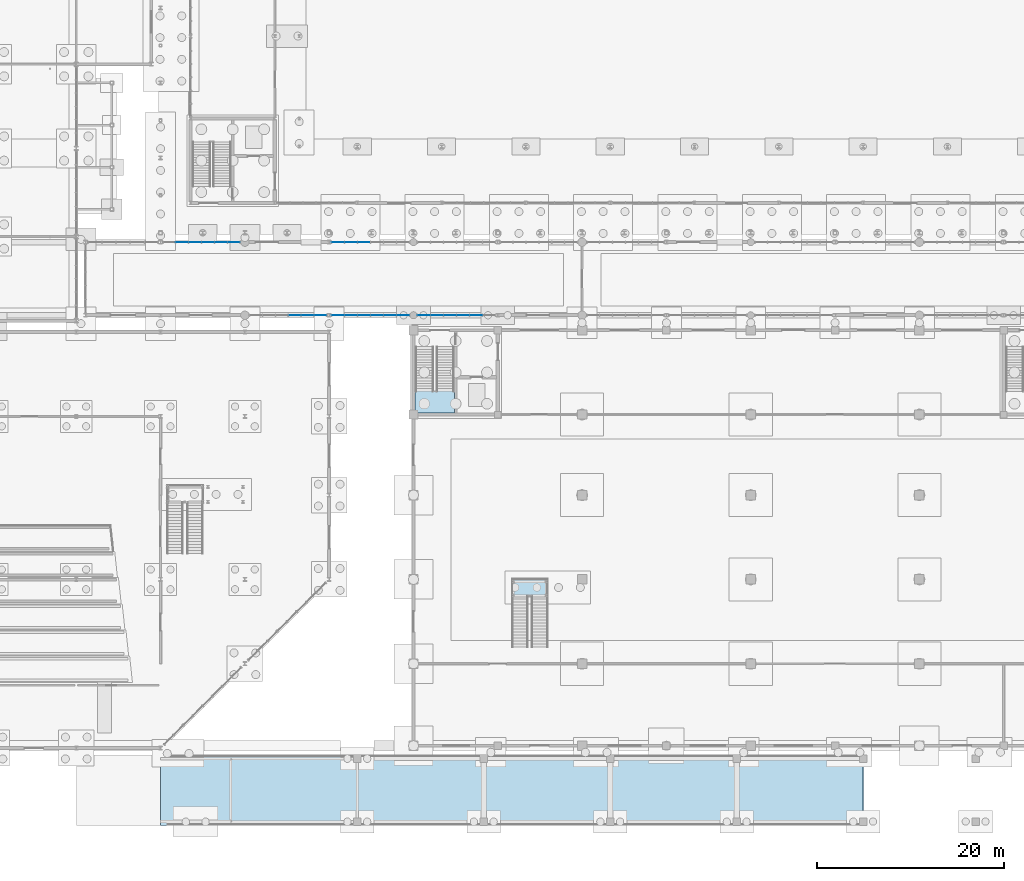
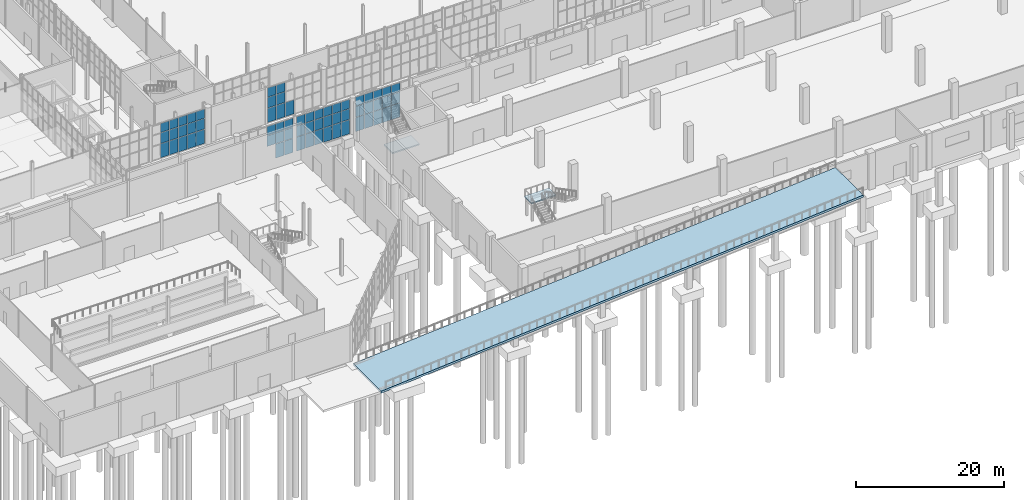
# One storey, part 75 of 131: 63 plates, 3 slabs, 7 elements without a shape of their own.
"""IFC4 building model written with IfcOpenShell, lengths in metres."""

from ifc_helpers import new_model, si_unit, direction, frame, origin, origin_2d, place, context, subcontext, project, spatial, polyline, rectangle, outline, extrude, material, layer, layer_set, type_object, element, aggregate, save


model = new_model("IFC4")

# Units and contexts
model_context = context("Model", 3, precision=1e-05, world=origin(), true_north=direction((0.0, 1.0)))
body_context = subcontext(model_context, "Body", "Model", "MODEL_VIEW")
ifc_project = project(units=[si_unit("LENGTHUNIT", "METRE"), si_unit("AREAUNIT", "SQUARE_METRE"), si_unit("VOLUMEUNIT", "CUBIC_METRE"), si_unit("PLANEANGLEUNIT", "RADIAN"), si_unit("MASSUNIT", "GRAM", prefix="KILO")], contexts=[model_context])

# Site, building, storey
site_placement = place(None, origin())
site = spatial("IfcSite", under=ifc_project, at=site_placement, CompositionType="ELEMENT")
building_placement = place(site_placement, origin())
building = spatial("IfcBuilding", under=site, at=building_placement, Name="Cazmaro Siding Exhibition Halls", CompositionType="ELEMENT")
storey_placement = place(building_placement, origin())
storey = spatial("IfcBuildingStorey", under=building, at=storey_placement, Name="L00", CompositionType="ELEMENT", Elevation=0.0)

# Curtain wall, plates
ifc_material_1 = material(Name="Anodized Bronze Aluminum and Solar-Control Low-E Glazing", Category="aluminium")
ifc_layer_1 = layer(ifc_material_1, 0.179931640625)
ifc_layer_set_1 = layer_set([ifc_layer_1], Name="Anodized Bronze Aluminum and Solar-Control Low-E Glazing")
curtain_wall_type = type_object("IfcCurtainWallType", Name="CWS-01", PredefinedType="USERDEFINED", material=ifc_layer_set_1)
curtain_wall_1_placement = place(storey_placement, origin())
curtain_wall_1 = element("IfcCurtainWall", 1, at=curtain_wall_1_placement, inside=storey, type_object=curtain_wall_type, Name="Glazed Curtain Wall CWS-01 CW-145", ObjectType="GLAZED CURTAIN WALL", PredefinedType="USERDEFINED")
ifc_material_2 = material(Name="Solar-Control Low-E Double Insulating Glass", Category="glass")
ifc_layer_2 = layer(ifc_material_2, 0.02392578125)
ifc_layer_set_2 = layer_set([ifc_layer_2], Name="Solar-Control Low-E Double Insulating Glass")
plate_type = type_object("IfcPlateType", Name="CWP-01", PredefinedType="CURTAIN_PANEL", material=ifc_layer_set_2)
plate_1_placement = place(storey_placement, frame((52.8115234375, 63.0, 0.06005859375), z_axis=(0.0, 0.0, 1.0), x_axis=(-1.0, 0.0, 0.0)))
plate_1 = element("IfcPlate", 2, at=plate_1_placement, type_object=plate_type, Name="CWS-01 panel 1.1", PredefinedType="CURTAIN_PANEL", context=body_context, shape_type="SweptSolid", body=[
    extrude(rectangle(XDim=1.291259765625, YDim=0.02392578125, at=origin_2d()), origin(), (0.0, 0.0, 1.0), 2.31005859375),
])
plate_2_placement = place(storey_placement, frame((52.8115234375, 63.0, 2.43017578125), z_axis=(0.0, 0.0, 1.0), x_axis=(-1.0, 0.0, 0.0)))
plate_2 = element("IfcPlate", 3, at=plate_2_placement, type_object=plate_type, Name="CWS-01 panel 1.2", PredefinedType="CURTAIN_PANEL", context=body_context, shape_type="SweptSolid", body=[
    extrude(rectangle(XDim=1.291259765625, YDim=0.02392578125, at=origin_2d()), origin(), (0.0, 0.0, 1.0), 1.739990234375),
])
plate_3_placement = place(storey_placement, frame((52.8115234375, 63.0, 4.22998046875), z_axis=(0.0, 0.0, 1.0), x_axis=(-1.0, 0.0, 0.0)))
plate_3 = element("IfcPlate", 4, at=plate_3_placement, type_object=plate_type, Name="CWS-01 panel 1.3", PredefinedType="CURTAIN_PANEL", context=body_context, shape_type="SweptSolid", body=[
    extrude(rectangle(XDim=1.291259765625, YDim=0.02392578125, at=origin_2d()), origin(), (0.0, 0.0, 1.0), 1.489990234375),
])
plate_4_placement = place(storey_placement, frame((51.4453125, 63.0, 0.06005859375), z_axis=(0.0, 0.0, 1.0), x_axis=(-1.0, 0.0, 0.0)))
plate_4 = element("IfcPlate", 5, at=plate_4_placement, type_object=plate_type, Name="CWS-01 panel 2.1", PredefinedType="CURTAIN_PANEL", context=body_context, shape_type="SweptSolid", body=[
    extrude(rectangle(XDim=1.321044921875, YDim=0.02392578125, at=origin_2d()), origin(), (0.0, 0.0, 1.0), 2.31005859375),
])
plate_5_placement = place(storey_placement, frame((51.4453125, 63.0, 2.43017578125), z_axis=(0.0, 0.0, 1.0), x_axis=(-1.0, 0.0, 0.0)))
plate_5 = element("IfcPlate", 6, at=plate_5_placement, type_object=plate_type, Name="CWS-01 panel 2.2", PredefinedType="CURTAIN_PANEL", context=body_context, shape_type="SweptSolid", body=[
    extrude(rectangle(XDim=1.321044921875, YDim=0.02392578125, at=origin_2d()), origin(), (0.0, 0.0, 1.0), 1.739990234375),
])
plate_6_placement = place(storey_placement, frame((51.4453125, 63.0, 4.22998046875), z_axis=(0.0, 0.0, 1.0), x_axis=(-1.0, 0.0, 0.0)))
plate_6 = element("IfcPlate", 7, at=plate_6_placement, type_object=plate_type, Name="CWS-01 panel 2.3", PredefinedType="CURTAIN_PANEL", context=body_context, shape_type="SweptSolid", body=[
    extrude(rectangle(XDim=1.321044921875, YDim=0.02392578125, at=origin_2d()), origin(), (0.0, 0.0, 1.0), 1.489990234375),
])
plate_7_placement = place(storey_placement, frame((50.06396484375, 63.0, 0.06005859375), z_axis=(0.0, 0.0, 1.0), x_axis=(-1.0, 0.0, 0.0)))
plate_7 = element("IfcPlate", 8, at=plate_7_placement, type_object=plate_type, Name="CWS-01 panel 3.1", PredefinedType="CURTAIN_PANEL", context=body_context, shape_type="SweptSolid", body=[
    extrude(rectangle(XDim=1.321044921875, YDim=0.02392578125, at=origin_2d()), origin(), (0.0, 0.0, 1.0), 2.31005859375),
])
plate_8_placement = place(storey_placement, frame((50.06396484375, 63.0, 2.43017578125), z_axis=(0.0, 0.0, 1.0), x_axis=(-1.0, 0.0, 0.0)))
plate_8 = element("IfcPlate", 9, at=plate_8_placement, type_object=plate_type, Name="CWS-01 panel 3.2", PredefinedType="CURTAIN_PANEL", context=body_context, shape_type="SweptSolid", body=[
    extrude(rectangle(XDim=1.321044921875, YDim=0.02392578125, at=origin_2d()), origin(), (0.0, 0.0, 1.0), 1.739990234375),
])
plate_9_placement = place(storey_placement, frame((50.06396484375, 63.0, 4.22998046875), z_axis=(0.0, 0.0, 1.0), x_axis=(-1.0, 0.0, 0.0)))
plate_9 = element("IfcPlate", 10, at=plate_9_placement, type_object=plate_type, Name="CWS-01 panel 3.3", PredefinedType="CURTAIN_PANEL", context=body_context, shape_type="SweptSolid", body=[
    extrude(rectangle(XDim=1.321044921875, YDim=0.02392578125, at=origin_2d()), origin(), (0.0, 0.0, 1.0), 1.489990234375),
])
plate_10_placement = place(storey_placement, frame((48.682861328125, 63.0, 0.06005859375), z_axis=(0.0, 0.0, 1.0), x_axis=(-1.0, 0.0, 0.0)))
plate_10 = element("IfcPlate", 11, at=plate_10_placement, type_object=plate_type, Name="CWS-01 panel 4.1", PredefinedType="CURTAIN_PANEL", context=body_context, shape_type="SweptSolid", body=[
    extrude(rectangle(XDim=1.321044921875, YDim=0.02392578125, at=origin_2d()), origin(), (0.0, 0.0, 1.0), 2.31005859375),
])
plate_11_placement = place(storey_placement, frame((48.682861328125, 63.0, 2.43017578125), z_axis=(0.0, 0.0, 1.0), x_axis=(-1.0, 0.0, 0.0)))
plate_11 = element("IfcPlate", 12, at=plate_11_placement, type_object=plate_type, Name="CWS-01 panel 4.2", PredefinedType="CURTAIN_PANEL", context=body_context, shape_type="SweptSolid", body=[
    extrude(rectangle(XDim=1.321044921875, YDim=0.02392578125, at=origin_2d()), origin(), (0.0, 0.0, 1.0), 1.739990234375),
])
plate_12_placement = place(storey_placement, frame((48.682861328125, 63.0, 4.22998046875), z_axis=(0.0, 0.0, 1.0), x_axis=(-1.0, 0.0, 0.0)))
plate_12 = element("IfcPlate", 13, at=plate_12_placement, type_object=plate_type, Name="CWS-01 panel 4.3", PredefinedType="CURTAIN_PANEL", context=body_context, shape_type="SweptSolid", body=[
    extrude(rectangle(XDim=1.321044921875, YDim=0.02392578125, at=origin_2d()), origin(), (0.0, 0.0, 1.0), 1.489990234375),
])
plate_13_placement = place(storey_placement, frame((47.3017578125, 63.0, 0.06005859375), z_axis=(0.0, 0.0, 1.0), x_axis=(-1.0, 0.0, 0.0)))
plate_13 = element("IfcPlate", 14, at=plate_13_placement, type_object=plate_type, Name="CWS-01 panel 5.1", PredefinedType="CURTAIN_PANEL", context=body_context, shape_type="SweptSolid", body=[
    extrude(rectangle(XDim=1.321044921875, YDim=0.02392578125, at=origin_2d()), origin(), (0.0, 0.0, 1.0), 2.31005859375),
])
plate_14_placement = place(storey_placement, frame((47.3017578125, 63.0, 2.43017578125), z_axis=(0.0, 0.0, 1.0), x_axis=(-1.0, 0.0, 0.0)))
plate_14 = element("IfcPlate", 15, at=plate_14_placement, type_object=plate_type, Name="CWS-01 panel 5.2", PredefinedType="CURTAIN_PANEL", context=body_context, shape_type="SweptSolid", body=[
    extrude(rectangle(XDim=1.321044921875, YDim=0.02392578125, at=origin_2d()), origin(), (0.0, 0.0, 1.0), 1.739990234375),
])
plate_15_placement = place(storey_placement, frame((47.3017578125, 63.0, 4.22998046875), z_axis=(0.0, 0.0, 1.0), x_axis=(-1.0, 0.0, 0.0)))
plate_15 = element("IfcPlate", 16, at=plate_15_placement, type_object=plate_type, Name="CWS-01 panel 5.3", PredefinedType="CURTAIN_PANEL", context=body_context, shape_type="SweptSolid", body=[
    extrude(rectangle(XDim=1.321044921875, YDim=0.02392578125, at=origin_2d()), origin(), (0.0, 0.0, 1.0), 1.489990234375),
])
aggregate(curtain_wall_1, [plate_1, plate_2, plate_3, plate_4, plate_5, plate_6, plate_7, plate_8, plate_9, plate_10, plate_11, plate_12, plate_13, plate_14, plate_15])

curtain_wall_2_placement = place(storey_placement, origin())
curtain_wall_2 = element("IfcCurtainWall", 17, at=curtain_wall_2_placement, inside=storey, type_object=curtain_wall_type, Name="Glazed Curtain Wall CWS-01 CW-150", ObjectType="GLAZED CURTAIN WALL", PredefinedType="USERDEFINED")
plate_16_placement = place(storey_placement, frame((59.317138671875, 55.199951171875, 2.43017578125), z_axis=(0.0, 0.0, 1.0), x_axis=(1.0, 0.0, 0.0)))
plate_16 = element("IfcPlate", 18, at=plate_16_placement, type_object=plate_type, Name="CWS-01 panel 4.2", PredefinedType="CURTAIN_PANEL", context=body_context, shape_type="SweptSolid", body=[
    extrude(rectangle(XDim=1.321044921875, YDim=0.02392578125, at=origin_2d()), origin(), (0.0, 0.0, 1.0), 1.739990234375),
])
plate_17_placement = place(storey_placement, frame((59.317138671875, 55.199951171875, 4.22998046875), z_axis=(0.0, 0.0, 1.0), x_axis=(1.0, 0.0, 0.0)))
plate_17 = element("IfcPlate", 19, at=plate_17_placement, type_object=plate_type, Name="CWS-01 panel 4.3", PredefinedType="CURTAIN_PANEL", context=body_context, shape_type="SweptSolid", body=[
    extrude(rectangle(XDim=1.321044921875, YDim=0.02392578125, at=origin_2d()), origin(), (0.0, 0.0, 1.0), 1.489990234375),
])
plate_18_placement = place(storey_placement, frame((60.6982421875, 55.199951171875, 0.06005859375), z_axis=(0.0, 0.0, 1.0), x_axis=(1.0, 0.0, 0.0)))
plate_18 = element("IfcPlate", 20, at=plate_18_placement, type_object=plate_type, Name="CWS-01 panel 5.1", PredefinedType="CURTAIN_PANEL", context=body_context, shape_type="SweptSolid", body=[
    extrude(rectangle(XDim=1.321044921875, YDim=0.02392578125, at=origin_2d()), origin(), (0.0, 0.0, 1.0), 2.31005859375),
])
plate_19_placement = place(storey_placement, frame((60.6982421875, 55.199951171875, 2.43017578125), z_axis=(0.0, 0.0, 1.0), x_axis=(1.0, 0.0, 0.0)))
plate_19 = element("IfcPlate", 21, at=plate_19_placement, type_object=plate_type, Name="CWS-01 panel 5.2", PredefinedType="CURTAIN_PANEL", context=body_context, shape_type="SweptSolid", body=[
    extrude(rectangle(XDim=1.321044921875, YDim=0.02392578125, at=origin_2d()), origin(), (0.0, 0.0, 1.0), 1.739990234375),
])
plate_20_placement = place(storey_placement, frame((60.6982421875, 55.199951171875, 4.22998046875), z_axis=(0.0, 0.0, 1.0), x_axis=(1.0, 0.0, 0.0)))
plate_20 = element("IfcPlate", 22, at=plate_20_placement, type_object=plate_type, Name="CWS-01 panel 5.3", PredefinedType="CURTAIN_PANEL", context=body_context, shape_type="SweptSolid", body=[
    extrude(rectangle(XDim=1.321044921875, YDim=0.02392578125, at=origin_2d()), origin(), (0.0, 0.0, 1.0), 1.489990234375),
])
plate_21_placement = place(storey_placement, frame((62.064453125, 55.199951171875, 0.06005859375), z_axis=(0.0, 0.0, 1.0), x_axis=(1.0, 0.0, 0.0)))
plate_21 = element("IfcPlate", 23, at=plate_21_placement, type_object=plate_type, Name="CWS-01 panel 6.1", PredefinedType="CURTAIN_PANEL", context=body_context, shape_type="SweptSolid", body=[
    extrude(rectangle(XDim=1.291259765625, YDim=0.02392578125, at=origin_2d()), origin(), (0.0, 0.0, 1.0), 2.31005859375),
])
plate_22_placement = place(storey_placement, frame((62.064453125, 55.199951171875, 2.43017578125), z_axis=(0.0, 0.0, 1.0), x_axis=(1.0, 0.0, 0.0)))
plate_22 = element("IfcPlate", 24, at=plate_22_placement, type_object=plate_type, Name="CWS-01 panel 6.2", PredefinedType="CURTAIN_PANEL", context=body_context, shape_type="SweptSolid", body=[
    extrude(rectangle(XDim=1.291259765625, YDim=0.02392578125, at=origin_2d()), origin(), (0.0, 0.0, 1.0), 1.739990234375),
])
plate_23_placement = place(storey_placement, frame((62.064453125, 55.199951171875, 4.22998046875), z_axis=(0.0, 0.0, 1.0), x_axis=(1.0, 0.0, 0.0)))
plate_23 = element("IfcPlate", 25, at=plate_23_placement, type_object=plate_type, Name="CWS-01 panel 6.3", PredefinedType="CURTAIN_PANEL", context=body_context, shape_type="SweptSolid", body=[
    extrude(rectangle(XDim=1.291259765625, YDim=0.02392578125, at=origin_2d()), origin(), (0.0, 0.0, 1.0), 1.489990234375),
])
aggregate(curtain_wall_2, [plate_16, plate_17, plate_18, plate_19, plate_20, plate_21, plate_22, plate_23])

curtain_wall_3_placement = place(storey_placement, origin())
curtain_wall_3 = element("IfcCurtainWall", 26, at=curtain_wall_3_placement, inside=storey, type_object=curtain_wall_type, Name="Glazed Curtain Wall CWS-01 CW-155", ObjectType="GLAZED CURTAIN WALL", PredefinedType="USERDEFINED")
plate_24_placement = place(storey_placement, frame((63.94189453125, 55.199951171875, 0.06005859375), z_axis=(0.0, 0.0, 1.0), x_axis=(1.0, 0.0, 0.0)))
plate_24 = element("IfcPlate", 27, at=plate_24_placement, type_object=plate_type, Name="CWS-01 panel 1.1", PredefinedType="CURTAIN_PANEL", context=body_context, shape_type="SweptSolid", body=[
    extrude(rectangle(XDim=1.3037109375, YDim=0.02392578125, at=origin_2d()), origin(), (0.0, 0.0, 1.0), 2.31005859375),
])
plate_25_placement = place(storey_placement, frame((63.94189453125, 55.199951171875, 2.43017578125), z_axis=(0.0, 0.0, 1.0), x_axis=(1.0, 0.0, 0.0)))
plate_25 = element("IfcPlate", 28, at=plate_25_placement, type_object=plate_type, Name="CWS-01 panel 1.2", PredefinedType="CURTAIN_PANEL", context=body_context, shape_type="SweptSolid", body=[
    extrude(rectangle(XDim=1.3037109375, YDim=0.02392578125, at=origin_2d()), origin(), (0.0, 0.0, 1.0), 1.739990234375),
])
plate_26_placement = place(storey_placement, frame((63.94189453125, 55.199951171875, 4.22998046875), z_axis=(0.0, 0.0, 1.0), x_axis=(1.0, 0.0, 0.0)))
plate_26 = element("IfcPlate", 29, at=plate_26_placement, type_object=plate_type, Name="CWS-01 panel 1.3", PredefinedType="CURTAIN_PANEL", context=body_context, shape_type="SweptSolid", body=[
    extrude(rectangle(XDim=1.3037109375, YDim=0.02392578125, at=origin_2d()), origin(), (0.0, 0.0, 1.0), 1.489990234375),
])
plate_27_placement = place(storey_placement, frame((65.320556640625, 55.199951171875, 0.06005859375), z_axis=(0.0, 0.0, 1.0), x_axis=(1.0, 0.0, 0.0)))
plate_27 = element("IfcPlate", 30, at=plate_27_placement, type_object=plate_type, Name="CWS-01 panel 2.1", PredefinedType="CURTAIN_PANEL", context=body_context, shape_type="SweptSolid", body=[
    extrude(rectangle(XDim=1.333740234375, YDim=0.02392578125, at=origin_2d()), origin(), (0.0, 0.0, 1.0), 2.31005859375),
])
plate_28_placement = place(storey_placement, frame((65.320556640625, 55.199951171875, 2.43017578125), z_axis=(0.0, 0.0, 1.0), x_axis=(1.0, 0.0, 0.0)))
plate_28 = element("IfcPlate", 31, at=plate_28_placement, type_object=plate_type, Name="CWS-01 panel 2.2", PredefinedType="CURTAIN_PANEL", context=body_context, shape_type="SweptSolid", body=[
    extrude(rectangle(XDim=1.333740234375, YDim=0.02392578125, at=origin_2d()), origin(), (0.0, 0.0, 1.0), 1.739990234375),
])
plate_29_placement = place(storey_placement, frame((65.320556640625, 55.199951171875, 4.22998046875), z_axis=(0.0, 0.0, 1.0), x_axis=(1.0, 0.0, 0.0)))
plate_29 = element("IfcPlate", 32, at=plate_29_placement, type_object=plate_type, Name="CWS-01 panel 2.3", PredefinedType="CURTAIN_PANEL", context=body_context, shape_type="SweptSolid", body=[
    extrude(rectangle(XDim=1.333740234375, YDim=0.02392578125, at=origin_2d()), origin(), (0.0, 0.0, 1.0), 1.489990234375),
])
plate_30_placement = place(storey_placement, frame((66.714111328125, 55.199951171875, 0.06005859375), z_axis=(0.0, 0.0, 1.0), x_axis=(1.0, 0.0, 0.0)))
plate_30 = element("IfcPlate", 33, at=plate_30_placement, type_object=plate_type, Name="CWS-01 panel 3.1", PredefinedType="CURTAIN_PANEL", context=body_context, shape_type="SweptSolid", body=[
    extrude(rectangle(XDim=1.333740234375, YDim=0.02392578125, at=origin_2d()), origin(), (0.0, 0.0, 1.0), 2.31005859375),
])
plate_31_placement = place(storey_placement, frame((66.714111328125, 55.199951171875, 2.43017578125), z_axis=(0.0, 0.0, 1.0), x_axis=(1.0, 0.0, 0.0)))
plate_31 = element("IfcPlate", 34, at=plate_31_placement, type_object=plate_type, Name="CWS-01 panel 3.2", PredefinedType="CURTAIN_PANEL", context=body_context, shape_type="SweptSolid", body=[
    extrude(rectangle(XDim=1.333740234375, YDim=0.02392578125, at=origin_2d()), origin(), (0.0, 0.0, 1.0), 1.739990234375),
])
plate_32_placement = place(storey_placement, frame((66.714111328125, 55.199951171875, 4.22998046875), z_axis=(0.0, 0.0, 1.0), x_axis=(1.0, 0.0, 0.0)))
plate_32 = element("IfcPlate", 35, at=plate_32_placement, type_object=plate_type, Name="CWS-01 panel 3.3", PredefinedType="CURTAIN_PANEL", context=body_context, shape_type="SweptSolid", body=[
    extrude(rectangle(XDim=1.333740234375, YDim=0.02392578125, at=origin_2d()), origin(), (0.0, 0.0, 1.0), 1.489990234375),
])
plate_33_placement = place(storey_placement, frame((68.10791015625, 55.199951171875, 0.06005859375), z_axis=(0.0, 0.0, 1.0), x_axis=(1.0, 0.0, 0.0)))
plate_33 = element("IfcPlate", 36, at=plate_33_placement, type_object=plate_type, Name="CWS-01 panel 4.1", PredefinedType="CURTAIN_PANEL", context=body_context, shape_type="SweptSolid", body=[
    extrude(rectangle(XDim=1.333740234375, YDim=0.02392578125, at=origin_2d()), origin(), (0.0, 0.0, 1.0), 2.31005859375),
])
plate_34_placement = place(storey_placement, frame((68.10791015625, 55.199951171875, 2.43017578125), z_axis=(0.0, 0.0, 1.0), x_axis=(1.0, 0.0, 0.0)))
plate_34 = element("IfcPlate", 37, at=plate_34_placement, type_object=plate_type, Name="CWS-01 panel 4.2", PredefinedType="CURTAIN_PANEL", context=body_context, shape_type="SweptSolid", body=[
    extrude(rectangle(XDim=1.333740234375, YDim=0.02392578125, at=origin_2d()), origin(), (0.0, 0.0, 1.0), 1.739990234375),
])
plate_35_placement = place(storey_placement, frame((68.10791015625, 55.199951171875, 4.22998046875), z_axis=(0.0, 0.0, 1.0), x_axis=(1.0, 0.0, 0.0)))
plate_35 = element("IfcPlate", 38, at=plate_35_placement, type_object=plate_type, Name="CWS-01 panel 4.3", PredefinedType="CURTAIN_PANEL", context=body_context, shape_type="SweptSolid", body=[
    extrude(rectangle(XDim=1.333740234375, YDim=0.02392578125, at=origin_2d()), origin(), (0.0, 0.0, 1.0), 1.489990234375),
])
plate_36_placement = place(storey_placement, frame((69.50146484375, 55.199951171875, 0.06005859375), z_axis=(0.0, 0.0, 1.0), x_axis=(1.0, 0.0, 0.0)))
plate_36 = element("IfcPlate", 39, at=plate_36_placement, type_object=plate_type, Name="CWS-01 panel 5.1", PredefinedType="CURTAIN_PANEL", context=body_context, shape_type="SweptSolid", body=[
    extrude(rectangle(XDim=1.333740234375, YDim=0.02392578125, at=origin_2d()), origin(), (0.0, 0.0, 1.0), 2.31005859375),
])
plate_37_placement = place(storey_placement, frame((69.50146484375, 55.199951171875, 2.43017578125), z_axis=(0.0, 0.0, 1.0), x_axis=(1.0, 0.0, 0.0)))
plate_37 = element("IfcPlate", 40, at=plate_37_placement, type_object=plate_type, Name="CWS-01 panel 5.2", PredefinedType="CURTAIN_PANEL", context=body_context, shape_type="SweptSolid", body=[
    extrude(rectangle(XDim=1.333740234375, YDim=0.02392578125, at=origin_2d()), origin(), (0.0, 0.0, 1.0), 1.739990234375),
])
plate_38_placement = place(storey_placement, frame((69.50146484375, 55.199951171875, 4.22998046875), z_axis=(0.0, 0.0, 1.0), x_axis=(1.0, 0.0, 0.0)))
plate_38 = element("IfcPlate", 41, at=plate_38_placement, type_object=plate_type, Name="CWS-01 panel 5.3", PredefinedType="CURTAIN_PANEL", context=body_context, shape_type="SweptSolid", body=[
    extrude(rectangle(XDim=1.333740234375, YDim=0.02392578125, at=origin_2d()), origin(), (0.0, 0.0, 1.0), 1.489990234375),
])
plate_39_placement = place(storey_placement, frame((70.880126953125, 55.199951171875, 0.06005859375), z_axis=(0.0, 0.0, 1.0), x_axis=(1.0, 0.0, 0.0)))
plate_39 = element("IfcPlate", 42, at=plate_39_placement, type_object=plate_type, Name="CWS-01 panel 6.1", PredefinedType="CURTAIN_PANEL", context=body_context, shape_type="SweptSolid", body=[
    extrude(rectangle(XDim=1.3037109375, YDim=0.02392578125, at=origin_2d()), origin(), (0.0, 0.0, 1.0), 2.31005859375),
])
plate_40_placement = place(storey_placement, frame((70.880126953125, 55.199951171875, 2.43017578125), z_axis=(0.0, 0.0, 1.0), x_axis=(1.0, 0.0, 0.0)))
plate_40 = element("IfcPlate", 43, at=plate_40_placement, type_object=plate_type, Name="CWS-01 panel 6.2", PredefinedType="CURTAIN_PANEL", context=body_context, shape_type="SweptSolid", body=[
    extrude(rectangle(XDim=1.3037109375, YDim=0.02392578125, at=origin_2d()), origin(), (0.0, 0.0, 1.0), 1.739990234375),
])
plate_41_placement = place(storey_placement, frame((70.880126953125, 55.199951171875, 4.22998046875), z_axis=(0.0, 0.0, 1.0), x_axis=(1.0, 0.0, 0.0)))
plate_41 = element("IfcPlate", 44, at=plate_41_placement, type_object=plate_type, Name="CWS-01 panel 6.3", PredefinedType="CURTAIN_PANEL", context=body_context, shape_type="SweptSolid", body=[
    extrude(rectangle(XDim=1.3037109375, YDim=0.02392578125, at=origin_2d()), origin(), (0.0, 0.0, 1.0), 1.489990234375),
])
aggregate(curtain_wall_3, [plate_24, plate_25, plate_26, plate_27, plate_28, plate_29, plate_30, plate_31, plate_32, plate_33, plate_34, plate_35, plate_36, plate_37, plate_38, plate_39, plate_40, plate_41])

curtain_wall_4_placement = place(storey_placement, origin())
curtain_wall_4 = element("IfcCurtainWall", 45, at=curtain_wall_4_placement, inside=storey, type_object=curtain_wall_type, Name="Glazed Curtain Wall CWS-01 CW-156", ObjectType="GLAZED CURTAIN WALL", PredefinedType="USERDEFINED")
plate_42_placement = place(storey_placement, frame((66.714111328125, 63.0, 0.06005859375), z_axis=(0.0, 0.0, 1.0), x_axis=(-1.0, 0.0, 0.0)))
plate_42 = element("IfcPlate", 46, at=plate_42_placement, type_object=plate_type, Name="CWS-01 panel 4.1", PredefinedType="CURTAIN_PANEL", context=body_context, shape_type="SweptSolid", body=[
    extrude(rectangle(XDim=1.333740234375, YDim=0.02392578125, at=origin_2d()), origin(), (0.0, 0.0, 1.0), 2.31005859375),
])
plate_43_placement = place(storey_placement, frame((65.320556640625, 63.0, 0.06005859375), z_axis=(0.0, 0.0, 1.0), x_axis=(-1.0, 0.0, 0.0)))
plate_43 = element("IfcPlate", 47, at=plate_43_placement, type_object=plate_type, Name="CWS-01 panel 5.1", PredefinedType="CURTAIN_PANEL", context=body_context, shape_type="SweptSolid", body=[
    extrude(rectangle(XDim=1.333740234375, YDim=0.02392578125, at=origin_2d()), origin(), (0.0, 0.0, 1.0), 2.31005859375),
])
plate_44_placement = place(storey_placement, frame((65.320556640625, 63.0, 2.43017578125), z_axis=(0.0, 0.0, 1.0), x_axis=(-1.0, 0.0, 0.0)))
plate_44 = element("IfcPlate", 48, at=plate_44_placement, type_object=plate_type, Name="CWS-01 panel 5.2", PredefinedType="CURTAIN_PANEL", context=body_context, shape_type="SweptSolid", body=[
    extrude(rectangle(XDim=1.333740234375, YDim=0.02392578125, at=origin_2d()), origin(), (0.0, 0.0, 1.0), 1.739990234375),
])
plate_45_placement = place(storey_placement, frame((65.320556640625, 63.0, 4.22998046875), z_axis=(0.0, 0.0, 1.0), x_axis=(-1.0, 0.0, 0.0)))
plate_45 = element("IfcPlate", 49, at=plate_45_placement, type_object=plate_type, Name="CWS-01 panel 5.3", PredefinedType="CURTAIN_PANEL", context=body_context, shape_type="SweptSolid", body=[
    extrude(rectangle(XDim=1.333740234375, YDim=0.02392578125, at=origin_2d()), origin(), (0.0, 0.0, 1.0), 1.489990234375),
])
plate_46_placement = place(storey_placement, frame((63.94189453125, 63.0, 0.06005859375), z_axis=(0.0, 0.0, 1.0), x_axis=(-1.0, 0.0, 0.0)))
plate_46 = element("IfcPlate", 50, at=plate_46_placement, type_object=plate_type, Name="CWS-01 panel 6.1", PredefinedType="CURTAIN_PANEL", context=body_context, shape_type="SweptSolid", body=[
    extrude(rectangle(XDim=1.3037109375, YDim=0.02392578125, at=origin_2d()), origin(), (0.0, 0.0, 1.0), 2.31005859375),
])
plate_47_placement = place(storey_placement, frame((63.94189453125, 63.0, 2.43017578125), z_axis=(0.0, 0.0, 1.0), x_axis=(-1.0, 0.0, 0.0)))
plate_47 = element("IfcPlate", 51, at=plate_47_placement, type_object=plate_type, Name="CWS-01 panel 6.2", PredefinedType="CURTAIN_PANEL", context=body_context, shape_type="SweptSolid", body=[
    extrude(rectangle(XDim=1.3037109375, YDim=0.02392578125, at=origin_2d()), origin(), (0.0, 0.0, 1.0), 1.739990234375),
])
plate_48_placement = place(storey_placement, frame((63.94189453125, 63.0, 4.22998046875), z_axis=(0.0, 0.0, 1.0), x_axis=(-1.0, 0.0, 0.0)))
plate_48 = element("IfcPlate", 52, at=plate_48_placement, type_object=plate_type, Name="CWS-01 panel 6.3", PredefinedType="CURTAIN_PANEL", context=body_context, shape_type="SweptSolid", body=[
    extrude(rectangle(XDim=1.3037109375, YDim=0.02392578125, at=origin_2d()), origin(), (0.0, 0.0, 1.0), 1.489990234375),
])
aggregate(curtain_wall_4, [plate_42, plate_43, plate_44, plate_45, plate_46, plate_47, plate_48])

curtain_wall_5_placement = place(storey_placement, origin())
curtain_wall_5 = element("IfcCurtainWall", 53, at=curtain_wall_5_placement, inside=storey, type_object=curtain_wall_type, Name="Glazed Curtain Wall CWS-01 CW-161", ObjectType="GLAZED CURTAIN WALL", PredefinedType="USERDEFINED")
plate_49_placement = place(storey_placement, frame((73.119873046875, 55.199951171875, 0.06005859375), z_axis=(0.0, 0.0, 1.0), x_axis=(1.0, 0.0, 0.0)))
plate_49 = element("IfcPlate", 54, at=plate_49_placement, type_object=plate_type, Name="CWS-01 panel 1.1", PredefinedType="CURTAIN_PANEL", context=body_context, shape_type="SweptSolid", body=[
    extrude(rectangle(XDim=1.3037109375, YDim=0.02392578125, at=origin_2d()), origin(), (0.0, 0.0, 1.0), 2.31005859375),
])
plate_50_placement = place(storey_placement, frame((73.119873046875, 55.199951171875, 2.43017578125), z_axis=(0.0, 0.0, 1.0), x_axis=(1.0, 0.0, 0.0)))
plate_50 = element("IfcPlate", 55, at=plate_50_placement, type_object=plate_type, Name="CWS-01 panel 1.2", PredefinedType="CURTAIN_PANEL", context=body_context, shape_type="SweptSolid", body=[
    extrude(rectangle(XDim=1.3037109375, YDim=0.02392578125, at=origin_2d()), origin(), (0.0, 0.0, 1.0), 1.739990234375),
])
plate_51_placement = place(storey_placement, frame((73.119873046875, 55.199951171875, 4.22998046875), z_axis=(0.0, 0.0, 1.0), x_axis=(1.0, 0.0, 0.0)))
plate_51 = element("IfcPlate", 56, at=plate_51_placement, type_object=plate_type, Name="CWS-01 panel 1.3", PredefinedType="CURTAIN_PANEL", context=body_context, shape_type="SweptSolid", body=[
    extrude(rectangle(XDim=1.3037109375, YDim=0.02392578125, at=origin_2d()), origin(), (0.0, 0.0, 1.0), 1.489990234375),
])
plate_52_placement = place(storey_placement, frame((74.49853515625, 55.199951171875, 0.06005859375), z_axis=(0.0, 0.0, 1.0), x_axis=(1.0, 0.0, 0.0)))
plate_52 = element("IfcPlate", 57, at=plate_52_placement, type_object=plate_type, Name="CWS-01 panel 2.1", PredefinedType="CURTAIN_PANEL", context=body_context, shape_type="SweptSolid", body=[
    extrude(rectangle(XDim=1.333740234375, YDim=0.02392578125, at=origin_2d()), origin(), (0.0, 0.0, 1.0), 2.31005859375),
])
plate_53_placement = place(storey_placement, frame((74.49853515625, 55.199951171875, 2.43017578125), z_axis=(0.0, 0.0, 1.0), x_axis=(1.0, 0.0, 0.0)))
plate_53 = element("IfcPlate", 58, at=plate_53_placement, type_object=plate_type, Name="CWS-01 panel 2.2", PredefinedType="CURTAIN_PANEL", context=body_context, shape_type="SweptSolid", body=[
    extrude(rectangle(XDim=1.333740234375, YDim=0.02392578125, at=origin_2d()), origin(), (0.0, 0.0, 1.0), 1.739990234375),
])
plate_54_placement = place(storey_placement, frame((74.49853515625, 55.199951171875, 4.22998046875), z_axis=(0.0, 0.0, 1.0), x_axis=(1.0, 0.0, 0.0)))
plate_54 = element("IfcPlate", 59, at=plate_54_placement, type_object=plate_type, Name="CWS-01 panel 2.3", PredefinedType="CURTAIN_PANEL", context=body_context, shape_type="SweptSolid", body=[
    extrude(rectangle(XDim=1.333740234375, YDim=0.02392578125, at=origin_2d()), origin(), (0.0, 0.0, 1.0), 1.489990234375),
])
plate_55_placement = place(storey_placement, frame((75.89208984375, 55.199951171875, 0.06005859375), z_axis=(0.0, 0.0, 1.0), x_axis=(1.0, 0.0, 0.0)))
plate_55 = element("IfcPlate", 60, at=plate_55_placement, type_object=plate_type, Name="CWS-01 panel 3.1", PredefinedType="CURTAIN_PANEL", context=body_context, shape_type="SweptSolid", body=[
    extrude(rectangle(XDim=1.333740234375, YDim=0.02392578125, at=origin_2d()), origin(), (0.0, 0.0, 1.0), 2.31005859375),
])
plate_56_placement = place(storey_placement, frame((75.89208984375, 55.199951171875, 2.43017578125), z_axis=(0.0, 0.0, 1.0), x_axis=(1.0, 0.0, 0.0)))
plate_56 = element("IfcPlate", 61, at=plate_56_placement, type_object=plate_type, Name="CWS-01 panel 3.2", PredefinedType="CURTAIN_PANEL", context=body_context, shape_type="SweptSolid", body=[
    extrude(rectangle(XDim=1.333740234375, YDim=0.02392578125, at=origin_2d()), origin(), (0.0, 0.0, 1.0), 1.739990234375),
])
plate_57_placement = place(storey_placement, frame((75.89208984375, 55.199951171875, 4.22998046875), z_axis=(0.0, 0.0, 1.0), x_axis=(1.0, 0.0, 0.0)))
plate_57 = element("IfcPlate", 62, at=plate_57_placement, type_object=plate_type, Name="CWS-01 panel 3.3", PredefinedType="CURTAIN_PANEL", context=body_context, shape_type="SweptSolid", body=[
    extrude(rectangle(XDim=1.333740234375, YDim=0.02392578125, at=origin_2d()), origin(), (0.0, 0.0, 1.0), 1.489990234375),
])
plate_58_placement = place(storey_placement, frame((77.285888671875, 55.199951171875, 0.06005859375), z_axis=(0.0, 0.0, 1.0), x_axis=(1.0, 0.0, 0.0)))
plate_58 = element("IfcPlate", 63, at=plate_58_placement, type_object=plate_type, Name="CWS-01 panel 4.1", PredefinedType="CURTAIN_PANEL", context=body_context, shape_type="SweptSolid", body=[
    extrude(rectangle(XDim=1.333740234375, YDim=0.02392578125, at=origin_2d()), origin(), (0.0, 0.0, 1.0), 2.31005859375),
])
plate_59_placement = place(storey_placement, frame((77.285888671875, 55.199951171875, 2.43017578125), z_axis=(0.0, 0.0, 1.0), x_axis=(1.0, 0.0, 0.0)))
plate_59 = element("IfcPlate", 64, at=plate_59_placement, type_object=plate_type, Name="CWS-01 panel 4.2", PredefinedType="CURTAIN_PANEL", context=body_context, shape_type="SweptSolid", body=[
    extrude(rectangle(XDim=1.333740234375, YDim=0.02392578125, at=origin_2d()), origin(), (0.0, 0.0, 1.0), 1.739990234375),
])
plate_60_placement = place(storey_placement, frame((77.285888671875, 55.199951171875, 4.22998046875), z_axis=(0.0, 0.0, 1.0), x_axis=(1.0, 0.0, 0.0)))
plate_60 = element("IfcPlate", 65, at=plate_60_placement, type_object=plate_type, Name="CWS-01 panel 4.3", PredefinedType="CURTAIN_PANEL", context=body_context, shape_type="SweptSolid", body=[
    extrude(rectangle(XDim=1.333740234375, YDim=0.02392578125, at=origin_2d()), origin(), (0.0, 0.0, 1.0), 1.489990234375),
])
plate_61_placement = place(storey_placement, frame((78.679443359375, 55.199951171875, 0.06005859375), z_axis=(0.0, 0.0, 1.0), x_axis=(1.0, 0.0, 0.0)))
plate_61 = element("IfcPlate", 66, at=plate_61_placement, type_object=plate_type, Name="CWS-01 panel 5.1", PredefinedType="CURTAIN_PANEL", context=body_context, shape_type="SweptSolid", body=[
    extrude(rectangle(XDim=1.333740234375, YDim=0.02392578125, at=origin_2d()), origin(), (0.0, 0.0, 1.0), 2.31005859375),
])
plate_62_placement = place(storey_placement, frame((78.679443359375, 55.199951171875, 2.43017578125), z_axis=(0.0, 0.0, 1.0), x_axis=(1.0, 0.0, 0.0)))
plate_62 = element("IfcPlate", 67, at=plate_62_placement, type_object=plate_type, Name="CWS-01 panel 5.2", PredefinedType="CURTAIN_PANEL", context=body_context, shape_type="SweptSolid", body=[
    extrude(rectangle(XDim=1.333740234375, YDim=0.02392578125, at=origin_2d()), origin(), (0.0, 0.0, 1.0), 1.739990234375),
])
plate_63_placement = place(storey_placement, frame((78.679443359375, 55.199951171875, 4.22998046875), z_axis=(0.0, 0.0, 1.0), x_axis=(1.0, 0.0, 0.0)))
plate_63 = element("IfcPlate", 68, at=plate_63_placement, type_object=plate_type, Name="CWS-01 panel 5.3", PredefinedType="CURTAIN_PANEL", context=body_context, shape_type="SweptSolid", body=[
    extrude(rectangle(XDim=1.333740234375, YDim=0.02392578125, at=origin_2d()), origin(), (0.0, 0.0, 1.0), 1.489990234375),
])
aggregate(curtain_wall_5, [plate_49, plate_50, plate_51, plate_52, plate_53, plate_54, plate_55, plate_56, plate_57, plate_58, plate_59, plate_60, plate_61, plate_62, plate_63])

# Stair, slab
ifc_material_3 = material(Name="Concrete f'c 40 MPa", Category="concrete")
stair_type_1 = type_object("IfcStairType", Name="STT-05", PredefinedType="TWO_STRAIGHT_RUN_STAIR", material=ifc_material_3)
stair_1_placement = place(storey_placement, origin())
stair_1 = element("IfcStair", 69, at=stair_1_placement, inside=storey, type_object=stair_type_1, Name="Core C3 Exit Stair L00-L01 ST-05", PredefinedType="TWO_STRAIGHT_RUN_STAIR")
ifc_material_4 = material(Name="Concrete f'c 40 MPa", Category="concrete")
ifc_layer_3 = layer(ifc_material_4, 0.199951171875)
ifc_layer_set_3 = layer_set([ifc_layer_3], Name="Concrete f'c 40 MPa")
slab_type_1 = type_object("IfcSlabType", Name="LND-05", PredefinedType="LANDING", material=ifc_layer_set_3)
slab_1_placement = place(storey_placement, frame((0.0, 0.0, 2.800048828125)))
slab_1 = element("IfcSlab", 70, at=slab_1_placement, type_object=slab_type_1, Name="ST-05 landing 1", PredefinedType="LANDING", context=body_context, shape_type="SweptSolid", body=[
    extrude(outline(polyline([(72.175048828125, 44.77490234375), (76.3798828125, 44.77490234375), (76.3798828125, 47.10009765625), (72.175048828125, 47.10009765625), (72.175048828125, 44.77490234375)])), origin(), (0.0, 0.0, 1.0), 0.199951171875),
])
aggregate(stair_1, [slab_1])

ifc_material_5 = material(Name="Steel ASTM A992 Grade 50 Stringers with Precast Treads", Category="concrete")
stair_type_2 = type_object("IfcStairType", Name="STT-28", PredefinedType="TWO_STRAIGHT_RUN_STAIR", material=ifc_material_5)
stair_2_placement = place(storey_placement, origin())
stair_2 = element("IfcStair", 71, at=stair_2_placement, inside=storey, type_object=stair_type_2, Name="Hall B1 West Mezzanine Feature Stair ST-28", PredefinedType="TWO_STRAIGHT_RUN_STAIR")
ifc_material_6 = material(Name="Concrete f'c 40 MPa", Category="concrete")
ifc_layer_4 = layer(ifc_material_6, 0.199951171875)
ifc_layer_set_4 = layer_set([ifc_layer_4], Name="Concrete f'c 40 MPa")
slab_type_2 = type_object("IfcSlabType", Name="LND-28", PredefinedType="LANDING", material=ifc_layer_set_4)
slab_2_placement = place(storey_placement, frame((0.0, 0.0, 2.800048828125)))
slab_2 = element("IfcSlab", 72, at=slab_2_placement, type_object=slab_type_2, Name="ST-28 landing 1", PredefinedType="LANDING", context=body_context, shape_type="SweptSolid", body=[
    extrude(outline(polyline([(82.5, 25.199951171875), (86.35009765625, 25.199951171875), (86.35009765625, 27.080078125), (82.5, 27.080078125), (82.5, 25.199951171875)])), origin(), (0.0, 0.0, 1.0), 0.199951171875),
])
aggregate(stair_2, [slab_2])

# Slab
ifc_material_7 = material(Name="Concrete f'c 45 MPa", Category="concrete")
ifc_layer_5 = layer(ifc_material_7, 0.35009765625)
ifc_layer_set_5 = layer_set([ifc_layer_5], Name="Concrete f'c 45 MPa")
slab_type_3 = type_object("IfcSlabType", Name="VR-01", PredefinedType="USERDEFINED", material=ifc_layer_set_5)
slab_3_placement = place(storey_placement, frame((45.0, 0.75, 0.0), z_axis=(-0.079745222283, 0.0, 0.996815278536), x_axis=(0.996815278536, 0.0, 0.079745222283)))
element("IfcSlab", 73, at=slab_3_placement, inside=storey, type_object=slab_type_3, Name="Heavy Truck Vehicle Ramp TR-01 Flight 1 Structural Slab VR-01 SLB-0102", ObjectType="VEHICLE RAMP", PredefinedType="USERDEFINED", context=body_context, shape_type="SweptSolid", body=[
    extrude(outline(polyline([(0.0, 0.0), (75.23961722390672, 0.0), (75.23961722390672, 7.5), (0.0, 7.5), (0.0, 0.0)])), origin(), (0.0, 0.0, -1.0), 0.35009765625),
])

save(model, "model.ifc")
